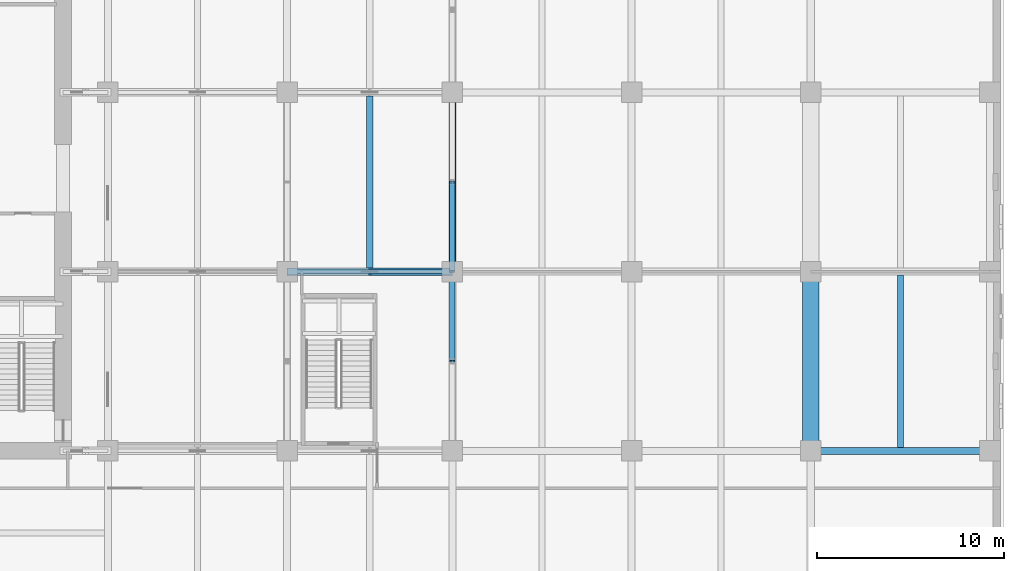
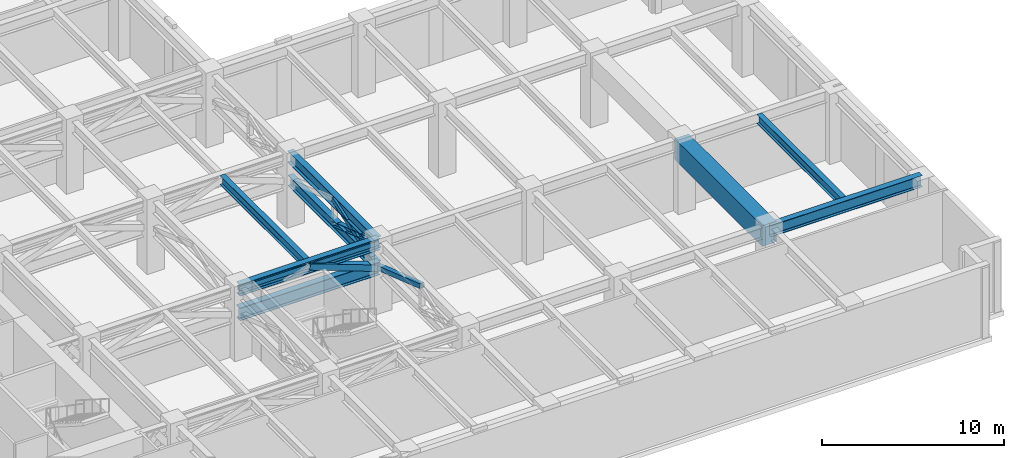
# One storey, part 5 of 22: 8 beams, 5 members.
"""IFC4 building model written with IfcOpenShell, lengths in metres."""

from ifc_helpers import new_model, si_unit, direction, frame, origin, origin_2d, place, context, subcontext, project, spatial, rectangle, hollow_rectangle, i_section, extrude, material, material_profile, profile_set, type_object, element, save


model = new_model("IFC4")

# Units and contexts
model_context = context("Model", 3, precision=1e-05, world=origin(), true_north=direction((0.0, 1.0)))
body_context = subcontext(model_context, "Body", "Model", "MODEL_VIEW")
ifc_project = project(units=[si_unit("LENGTHUNIT", "METRE"), si_unit("AREAUNIT", "SQUARE_METRE"), si_unit("VOLUMEUNIT", "CUBIC_METRE"), si_unit("PLANEANGLEUNIT", "RADIAN"), si_unit("MASSUNIT", "GRAM", prefix="KILO")], contexts=[model_context])

# Site, building, storey
site_placement = place(None, origin())
site = spatial("IfcSite", under=ifc_project, at=site_placement, CompositionType="ELEMENT")
building_placement = place(site_placement, origin())
building = spatial("IfcBuilding", under=site, at=building_placement, Name="Norrvale University Quadrangle", CompositionType="ELEMENT")
storey_placement = place(building_placement, frame((0.0, 0.0, 96.39990234375)))
storey = spatial("IfcBuildingStorey", under=building, at=storey_placement, Name="L24", CompositionType="ELEMENT", Elevation=96.39990234375)

# Beams
ifc_material_1 = material(Name="Steel 350W", Category="steel")
ifc_material_profile_1 = material_profile(ifc_material_1, i_section(OverallWidth=0.324951171875, OverallDepth=0.615966796875, WebThickness=0.013916015625, FlangeThickness=0.021484375, FilletRadius=0.01611328125, at=origin_2d()), Name="Steel 350W")
ifc_profile_set_1 = profile_set([ifc_material_profile_1], Name="Steel 350W")
beam_type_1 = type_object("IfcBeamType", Name="Beam Belt W610x174", PredefinedType="BEAM", material=ifc_profile_set_1)
beam_1_placement = place(storey_placement, frame((33.22509765625, 19.390380859375, 4.43212890625), z_axis=(0.0, 1.0, 0.0), x_axis=(-1.0, 0.0, 0.0)))
element("IfcBeam", 1, at=beam_1_placement, inside=storey, type_object=beam_type_1, Name="Beam Belt W610x174 BM-L24-J086", PredefinedType="BEAM", context=body_context, shape_type="SweptSolid", body=[
    extrude(i_section(OverallWidth=0.324951171875, OverallDepth=0.615966796875, WebThickness=0.013916015625, FlangeThickness=0.021484375, FilletRadius=0.01611328125, at=origin_2d()), origin(), (0.0, 0.0, 1.0), 9.21923828125),
])
beam_2_placement = place(storey_placement, frame((61.64990234375, 9.79052734375, 4.39208984375), z_axis=(0.0, 1.0, 0.0), x_axis=(-1.0, 0.0, 0.0)))
element("IfcBeam", 2, at=beam_2_placement, inside=storey, type_object=beam_type_1, Name="Beam Belt W610x174 BM-L24-J098", PredefinedType="BEAM", context=body_context, shape_type="SweptSolid", body=[
    extrude(i_section(OverallWidth=0.324951171875, OverallDepth=0.615966796875, WebThickness=0.013916015625, FlangeThickness=0.021484375, FilletRadius=0.01611328125, at=origin_2d()), origin(), (0.0, 0.0, 1.0), 9.218994140625),
])
ifc_material_profile_2 = material_profile(ifc_material_1, i_section(OverallWidth=0.35498046875, OverallDepth=0.695068359375, WebThickness=0.015380859375, FlangeThickness=0.02490234375, FilletRadius=0.01806640625, at=origin_2d()), Name="Steel 350W")
ifc_profile_set_2 = profile_set([ifc_material_profile_2], Name="Steel 350W")
beam_type_2 = type_object("IfcBeamType", Name="Beam Belt W690x217", PredefinedType="BEAM", material=ifc_profile_set_2)
beam_3_placement = place(storey_placement, frame((37.64990234375, 19.199951171875, 2.75), z_axis=(0.0, 1.0, 0.0), x_axis=(-1.0, 0.0, 0.0)))
element("IfcBeam", 3, at=beam_3_placement, inside=storey, type_object=beam_type_2, Name="Belt Truss Chord L24-02", PredefinedType="BEAM", context=body_context, shape_type="SweptSolid", body=[
    extrude(i_section(OverallWidth=0.35498046875, OverallDepth=0.695068359375, WebThickness=0.015380859375, FlangeThickness=0.02490234375, FilletRadius=0.01806640625, at=origin_2d()), origin(), (0.0, 0.0, 1.0), 9.60009765625),
])
ifc_material_profile_3 = material_profile(ifc_material_1, i_section(OverallWidth=0.381103515625, OverallDepth=0.77294921875, WebThickness=0.0166015625, FlangeThickness=0.027587890625, FilletRadius=0.02001953125, at=origin_2d()), Name="Steel 350W")
ifc_profile_set_3 = profile_set([ifc_material_profile_3], Name="Steel 350W")
beam_type_3 = type_object("IfcBeamType", Name="Beam Outrig W760x257", PredefinedType="BEAM", material=ifc_profile_set_3)
beam_4_placement = place(storey_placement, frame((56.85009765625, 9.60009765625, 4.3134765625), z_axis=(1.0, 0.0, 0.0), x_axis=(0.0, 1.0, 0.0)))
element("IfcBeam", 4, at=beam_4_placement, inside=storey, type_object=beam_type_3, Name="Beam Outrig W760x257 BM-L24-GX010", PredefinedType="BEAM", context=body_context, shape_type="SweptSolid", body=[
    extrude(i_section(OverallWidth=0.381103515625, OverallDepth=0.77294921875, WebThickness=0.0166015625, FlangeThickness=0.027587890625, FilletRadius=0.02001953125, at=origin_2d()), origin(), (0.0, 0.0, 1.0), 9.599853515625),
])
beam_5_placement = place(storey_placement, frame((28.800048828125, 19.199951171875, 4.353515625), z_axis=(1.0, 0.0, 0.0), x_axis=(0.0, 1.0, 0.0)))
element("IfcBeam", 5, at=beam_5_placement, inside=storey, type_object=beam_type_3, Name="Beam Outrig W760x257 BM-L24-GX012", PredefinedType="BEAM", context=body_context, shape_type="SweptSolid", body=[
    extrude(i_section(OverallWidth=0.381103515625, OverallDepth=0.77294921875, WebThickness=0.0166015625, FlangeThickness=0.027587890625, FilletRadius=0.02001953125, at=origin_2d()), origin(), (0.0, 0.0, 1.0), 8.849853515625),
])
beam_6_placement = place(storey_placement, frame((37.64990234375, 19.199951171875, 4.353515625), z_axis=(0.0, 1.0, 0.0), x_axis=(-1.0, 0.0, 0.0)))
element("IfcBeam", 6, at=beam_6_placement, inside=storey, type_object=beam_type_3, Name="Beam Outrig W760x257 BM-L24-GY055", PredefinedType="BEAM", context=body_context, shape_type="SweptSolid", body=[
    extrude(i_section(OverallWidth=0.381103515625, OverallDepth=0.77294921875, WebThickness=0.0166015625, FlangeThickness=0.027587890625, FilletRadius=0.02001953125, at=origin_2d()), origin(), (0.0, 0.0, 1.0), 9.60009765625),
])
ifc_material_profile_4 = material_profile(ifc_material_1, i_section(OverallWidth=0.39990234375, OverallDepth=0.85498046875, WebThickness=0.018310546875, FlangeThickness=0.029296875, FilletRadius=0.02197265625, at=origin_2d()), Name="Steel 350W")
ifc_profile_set_4 = profile_set([ifc_material_profile_4], Name="Steel 350W")
beam_type_4 = type_object("IfcBeamType", Name="Beam Outrig W840x299", PredefinedType="BEAM", material=ifc_profile_set_4)
beam_7_placement = place(storey_placement, frame((28.800048828125, 19.199951171875, 2.75), z_axis=(1.0, 0.0, 0.0), x_axis=(0.0, 1.0, 0.0)))
element("IfcBeam", 7, at=beam_7_placement, inside=storey, type_object=beam_type_4, Name="Outrigger Bottom Chord L24-2.3", PredefinedType="BEAM", context=body_context, shape_type="SweptSolid", body=[
    extrude(i_section(OverallWidth=0.39990234375, OverallDepth=0.85498046875, WebThickness=0.018310546875, FlangeThickness=0.029296875, FilletRadius=0.02197265625, at=origin_2d()), origin(), (0.0, 0.0, 1.0), 8.849853515625),
])
ifc_material_2 = material(Name="Concrete C60/75", Category="concrete")
ifc_material_profile_5 = material_profile(ifc_material_2, rectangle(XDim=0.89990234375, YDim=1.39990234375, at=origin_2d()), Name="Concrete C60/75")
ifc_profile_set_5 = profile_set([ifc_material_profile_5], Name="Concrete C60/75")
beam_type_5 = type_object("IfcBeamType", Name="Beam Transfer 900x1400", PredefinedType="USERDEFINED", material=ifc_profile_set_5)
beam_8_placement = place(storey_placement, frame((56.85009765625, 9.60009765625, 4.0400390625), z_axis=(0.0, 1.0, 0.0), x_axis=(-1.0, 0.0, 0.0)))
element("IfcBeam", 8, at=beam_8_placement, inside=storey, type_object=beam_type_5, Name="Setback Transfer Girder L24-19", ObjectType="TRANSFER GIRDER", PredefinedType="USERDEFINED", context=body_context, shape_type="SweptSolid", body=[
    extrude(rectangle(XDim=0.89990234375, YDim=1.39990234375, at=origin_2d()), origin(), (0.0, 0.0, 1.0), 9.599853515625),
])

# Members
ifc_material_profile_6 = material_profile(ifc_material_1, hollow_rectangle(XDim=0.304931640625, YDim=0.304931640625, WallThickness=0.012939453125, at=origin_2d()), Name="Steel 350W")
ifc_profile_set_6 = profile_set([ifc_material_profile_6], Name="Steel 350W")
member_type_1 = type_object("IfcMemberType", Name="Member Belt Diag HSS305", PredefinedType="BRACE", material=ifc_profile_set_6)
for number, where, z_axis, x_axis, name in (
    (9, (37.64990234375, 19.199951171875, 2.75), (0.0, -0.946283782562, 0.323337289622), (1.0, 0.0, 0.0), "Belt Truss Brace L24-01B"),
    (10, (37.64990234375, 19.199951171875, 2.75), (0.0, 0.946283782562, 0.323337289622), (-1.0, 0.0, 0.0), "Belt Truss Brace L24-02A"),
):
    element("IfcMember", number, at=place(storey_placement, frame(where, z_axis=z_axis, x_axis=x_axis)), inside=storey, type_object=member_type_1, Name=name, PredefinedType="BRACE", context=body_context, shape_type="SweptSolid", body=[
        extrude(hollow_rectangle(XDim=0.304931640625, YDim=0.304931640625, WallThickness=0.012939453125, at=origin_2d()), origin(), (0.0, 0.0, 1.0), 5.072509765625),
    ])
ifc_material_profile_7 = material_profile(ifc_material_1, hollow_rectangle(XDim=0.202880859375, YDim=0.304931640625, WallThickness=0.012939453125, at=origin_2d()), Name="Steel 350W")
ifc_profile_set_7 = profile_set([ifc_material_profile_7], Name="Steel 350W")
member_type_2 = type_object("IfcMemberType", Name="Member Chord HSS305x203", PredefinedType="CHORD", material=ifc_profile_set_7)
member_1_placement = place(storey_placement, frame((28.800048828125, 19.199951171875, 4.39013671875), z_axis=(1.0, 0.0, 0.0), x_axis=(0.0, 1.0, 0.0)))
element("IfcMember", 11, at=member_1_placement, inside=storey, type_object=member_type_2, Name="Outrigger Top Chord L24-2.3", PredefinedType="CHORD", context=body_context, shape_type="SweptSolid", body=[
    extrude(hollow_rectangle(XDim=0.202880859375, YDim=0.304931640625, WallThickness=0.012939453125, at=origin_2d()), origin(), (0.0, 0.0, 1.0), 8.849853515625),
])
ifc_material_profile_8 = material_profile(ifc_material_1, hollow_rectangle(XDim=0.406005859375, YDim=0.406005859375, WallThickness=0.01611328125, at=origin_2d()), Name="Steel 350W")
ifc_profile_set_8 = profile_set([ifc_material_profile_8], Name="Steel 350W")
member_type_3 = type_object("IfcMemberType", Name="Member Outrig Diag HSS406", PredefinedType="BRACE", material=ifc_profile_set_8)
member_2_placement = place(storey_placement, frame((37.64990234375, 19.199951171875, 2.75), z_axis=(-0.937657613732, 0.0, 0.347560353622), x_axis=(0.0, -1.0, 0.0)))
element("IfcMember", 12, at=member_2_placement, inside=storey, type_object=member_type_3, Name="Outrigger Truss Diagonal L24-2.3B", PredefinedType="BRACE", context=body_context, shape_type="SweptSolid", body=[
    extrude(hollow_rectangle(XDim=0.406005859375, YDim=0.406005859375, WallThickness=0.01611328125, at=origin_2d()), origin(), (0.0, 0.0, 1.0), 4.718994140625),
])
ifc_material_profile_9 = material_profile(ifc_material_1, i_section(OverallWidth=0.30908203125, OverallDepth=0.322998046875, WebThickness=0.01318359375, FlangeThickness=0.02294921875, FilletRadius=0.014892578125, at=origin_2d()), Name="Steel 350W")
ifc_profile_set_9 = profile_set([ifc_material_profile_9], Name="Steel 350W")
member_type_4 = type_object("IfcMemberType", Name="Member Tie W310x143", PredefinedType="BRACE", material=ifc_profile_set_9)
member_3_placement = place(storey_placement, frame((37.64990234375, 19.199951171875, 4.39013671875), z_axis=(0.0, 0.946283782562, -0.323337289622), x_axis=(-1.0, 0.0, 0.0)))
element("IfcMember", 13, at=member_3_placement, inside=storey, type_object=member_type_4, Name="Belt Truss Tie Brace L24-02", PredefinedType="BRACE", context=body_context, shape_type="SweptSolid", body=[
    extrude(i_section(OverallWidth=0.30908203125, OverallDepth=0.322998046875, WebThickness=0.01318359375, FlangeThickness=0.02294921875, FilletRadius=0.014892578125, at=origin_2d()), origin(), (0.0, 0.0, 1.0), 5.072509765625),
])

save(model, "model.ifc")
